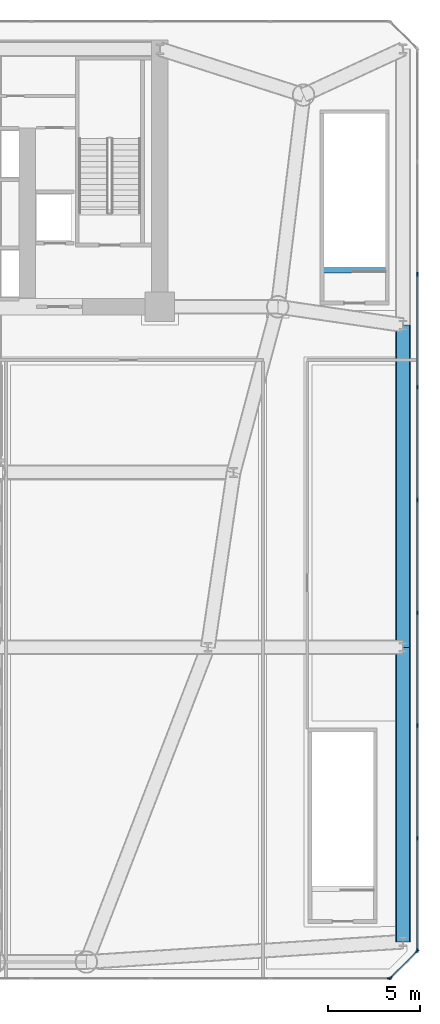
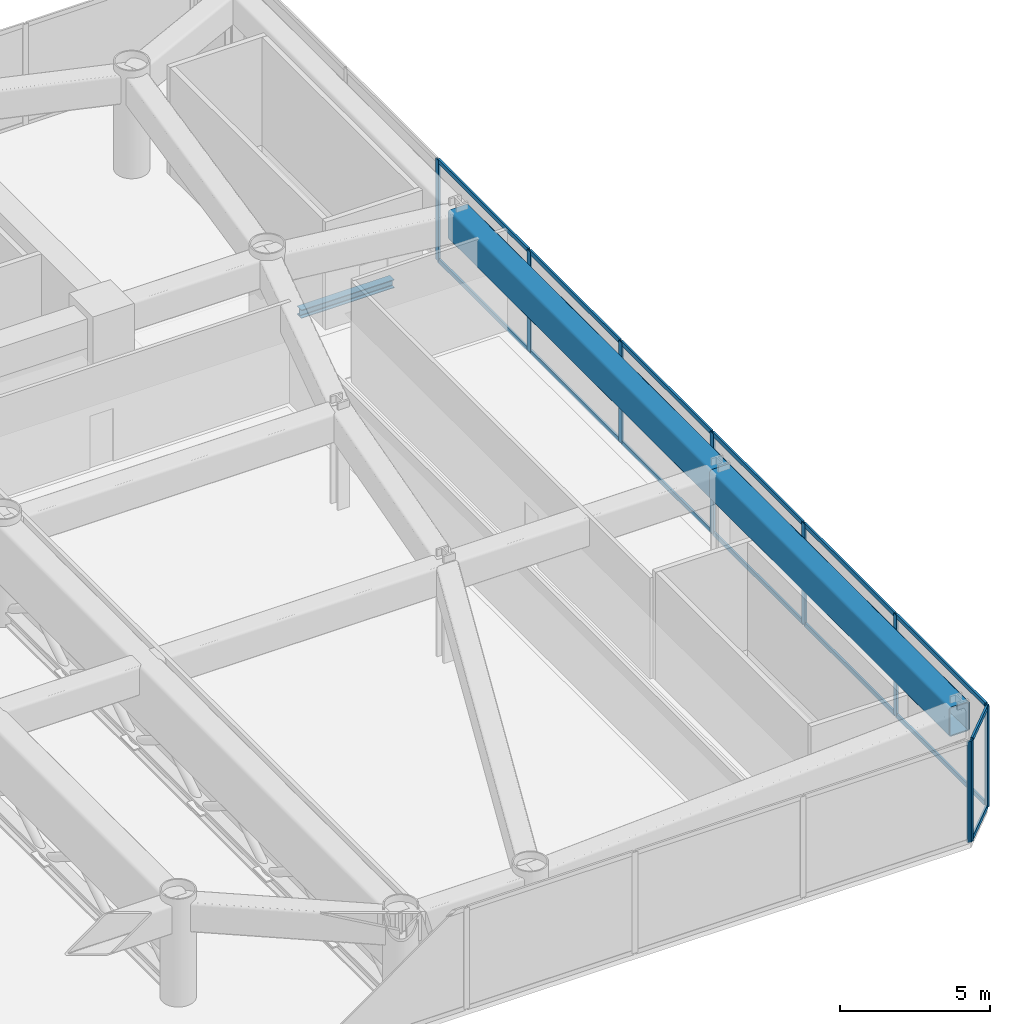
# One storey, part 10 of 21: 24 members, 3 beams, 3 elements without a shape of their own.
"""IFC4 building model written with IfcOpenShell, lengths in metres."""

from ifc_helpers import new_model, si_unit, direction, frame, origin, origin_2d, place, context, subcontext, project, spatial, rectangle, hollow_rectangle, i_section, extrude, source, transform, mapped, material, layer, layer_set, material_profile, profile_set, type_object, element, aggregate, save


model = new_model("IFC4")

# Units and contexts
model_context = context("Model", 3, precision=1e-05, world=origin(), true_north=direction((0.0, 1.0)))
body_context = subcontext(model_context, "Body", "Model", "MODEL_VIEW")
ifc_project = project(units=[si_unit("LENGTHUNIT", "METRE"), si_unit("AREAUNIT", "SQUARE_METRE"), si_unit("VOLUMEUNIT", "CUBIC_METRE"), si_unit("PLANEANGLEUNIT", "RADIAN"), si_unit("MASSUNIT", "GRAM", prefix="KILO")], contexts=[model_context])

# Site, building, storey
site_placement = place(None, origin())
site = spatial("IfcSite", under=ifc_project, at=site_placement, CompositionType="ELEMENT")
building_placement = place(site_placement, origin())
building = spatial("IfcBuilding", under=site, at=building_placement, Name="Vaeldorn Concourse Tower", CompositionType="ELEMENT")
storey_placement = place(building_placement, frame((0.0, 0.0, 14.39990234375)))
storey = spatial("IfcBuildingStorey", under=building, at=storey_placement, Name="L03", CompositionType="ELEMENT", Elevation=14.39990234375)

# Beams
ifc_material_1 = material(Name="Steel S355", Category="steel")
ifc_material_profile_1 = material_profile(ifc_material_1, i_section(OverallWidth=0.300048828125, OverallDepth=0.340087890625, WebThickness=0.011962890625, FlangeThickness=0.021484375, FilletRadius=0.027099609375, at=origin_2d()), Name="HEB 340")
ifc_profile_set_1 = profile_set([ifc_material_profile_1], Name="Steel S355")
beam_type_1 = type_object("IfcBeamType", Name="BM-ST-TRIM", PredefinedType="BEAM", material=ifc_profile_set_1)
shared_shape_1 = source(origin(), body_context, "Body", "SweptSolid", [
    extrude(i_section(OverallWidth=0.300048828125, OverallDepth=0.340087890625, WebThickness=0.011962890625, FlangeThickness=0.021484375, FilletRadius=0.027099609375, at=origin_2d()), origin(), (0.0, 0.0, 1.0), 3.590087890625),
])
beam_1_placement = place(storey_placement, frame((62.780029296875, 38.489990234375, -0.449951171875), z_axis=(1.0, 0.0, 0.0), x_axis=(0.0, 1.0, 0.0)))
element("IfcBeam", 1, at=beam_1_placement, inside=storey, type_object=beam_type_1, Name="Stair Landing Trimmer Beam ST-4 L03", PredefinedType="BEAM", context=body_context, shape_type="MappedRepresentation", body=[
    mapped(shared_shape_1, transform((0.0, 0.0, 0.0), scale=1.0)),
])
ifc_material_2 = material(Name="Steel S460", Category="steel")
ifc_material_profile_2 = material_profile(ifc_material_2, hollow_rectangle(XDim=0.800048828125, YDim=1.199951171875, WallThickness=0.044921875, InnerFilletRadius=0.044921875, OuterFilletRadius=0.090087890625, at=origin_2d()), Name="RHS 1200x800x45")
ifc_profile_set_2 = profile_set([ifc_material_profile_2], Name="Steel S460")
beam_type_2 = type_object("IfcBeamType", Name="BM-TG-RHS1200", PredefinedType="BEAM", material=ifc_profile_set_2)
shared_shape_2 = source(origin(), body_context, "Body", "SweptSolid", [
    extrude(hollow_rectangle(XDim=0.800048828125, YDim=1.199951171875, WallThickness=0.044921875, InnerFilletRadius=0.044921875, OuterFilletRadius=0.090087890625, at=origin_2d()), origin(), (0.0, 0.0, 1.0), 16.0),
])
beam_2_placement = place(storey_placement, frame((67.199951171875, 2.0, 3.52001953125), z_axis=(0.0, 1.0, 0.0), x_axis=(-1.0, 0.0, 0.0)))
element("IfcBeam", 2, at=beam_2_placement, inside=storey, type_object=beam_type_2, Name="Beam BM-L03-TG-22", PredefinedType="BEAM", context=body_context, shape_type="MappedRepresentation", body=[
    mapped(shared_shape_2, transform((0.0, 0.0, 0.0), scale=1.0)),
])
shared_shape_3 = source(origin(), body_context, "Body", "SweptSolid", [
    extrude(hollow_rectangle(XDim=0.800048828125, YDim=1.199951171875, WallThickness=0.044921875, InnerFilletRadius=0.044921875, OuterFilletRadius=0.090087890625, at=origin_2d()), origin(), (0.0, 0.0, 1.0), 17.5),
])
beam_3_placement = place(storey_placement, frame((67.199951171875, 18.0, 3.52001953125), z_axis=(0.0, 1.0, 0.0), x_axis=(-1.0, 0.0, 0.0)))
element("IfcBeam", 3, at=beam_3_placement, inside=storey, type_object=beam_type_2, Name="Beam BM-L03-TG-23", PredefinedType="BEAM", context=body_context, shape_type="MappedRepresentation", body=[
    mapped(shared_shape_3, transform((0.0, 0.0, 0.0), scale=1.0)),
])

# Curtain wall, members
ifc_material_3 = material(Name="Anodised Bronze Aluminium", Category="aluminium")
ifc_layer = layer(ifc_material_3, 0.239990234375)
ifc_layer_set = layer_set([ifc_layer], Name="Anodised Bronze Aluminium")
curtain_wall_type = type_object("IfcCurtainWallType", Name="CW-SYS-04", PredefinedType="NOTDEFINED", material=ifc_layer_set)
curtain_wall_1_placement = place(storey_placement, origin())
curtain_wall_1 = element("IfcCurtainWall", 4, at=curtain_wall_1_placement, inside=storey, type_object=curtain_wall_type, Name="Unitised Curtain Wall CW-L03-E02-1", PredefinedType="NOTDEFINED")
ifc_material_profile_3 = material_profile(ifc_material_3, rectangle(XDim=0.074951171875, YDim=0.179931640625, at=origin_2d()), Name="CWT 75x180")
ifc_profile_set_3 = profile_set([ifc_material_profile_3], Name="Anodised Bronze Aluminium")
member_type_1 = type_object("IfcMemberType", Name="CWT-BRONZE-180", PredefinedType="USERDEFINED", material=ifc_profile_set_3)
shared_shape_4 = source(origin(), body_context, "Body", "SweptSolid", [
    extrude(rectangle(XDim=0.074951171875, YDim=0.179931640625, at=origin_2d()), origin(), (0.0, 0.0, 1.0), 1.971435546875),
])
member_1_placement = place(storey_placement, frame((66.552978515625, 0.052978515625, 0.03759765625), z_axis=(0.707106781187, 0.707106781187, 0.0), x_axis=(-0.707106781187, 0.707106781187, 0.0)))
member_1 = element("IfcMember", 5, at=member_1_placement, type_object=member_type_1, Name="CW-04 transom 1.1", ObjectType="TRANSOM", PredefinedType="USERDEFINED", context=body_context, shape_type="MappedRepresentation", body=[
    mapped(shared_shape_4, transform((0.0, 0.0, 0.0), scale=1.0)),
])
member_2_placement = place(storey_placement, frame((66.552978515625, 0.052978515625, 4.08251953125), z_axis=(0.707106781187, 0.707106781187, 0.0), x_axis=(-0.707106781187, 0.707106781187, 0.0)))
member_2 = element("IfcMember", 6, at=member_2_placement, type_object=member_type_1, Name="CW-04 transom 1.2", ObjectType="TRANSOM", PredefinedType="USERDEFINED", context=body_context, shape_type="MappedRepresentation", body=[
    mapped(shared_shape_4, transform((0.0, 0.0, 0.0), scale=1.0)),
])

curtain_wall_2_placement = place(storey_placement, origin())
curtain_wall_2 = element("IfcCurtainWall", 7, at=curtain_wall_2_placement, inside=storey, type_object=curtain_wall_type, Name="Unitised Curtain Wall CW-L03-E03-1", PredefinedType="NOTDEFINED")
shared_shape_5 = source(origin(), body_context, "Body", "SweptSolid", [
    extrude(rectangle(XDim=0.074951171875, YDim=0.179931640625, at=origin_2d()), origin(), (0.0, 0.0, 1.0), 6.012451171875),
])
member_3_placement = place(storey_placement, frame((68.0, 1.574951171875, 0.03759765625), z_axis=(0.0, 1.0, 0.0), x_axis=(-1.0, 0.0, 0.0)))
member_3 = element("IfcMember", 8, at=member_3_placement, type_object=member_type_1, Name="CW-04 transom 1.1", ObjectType="TRANSOM", PredefinedType="USERDEFINED", context=body_context, shape_type="MappedRepresentation", body=[
    mapped(shared_shape_5, transform((0.0, 0.0, 0.0), scale=1.0)),
])
member_4_placement = place(storey_placement, frame((68.0, 1.574951171875, 4.08251953125), z_axis=(0.0, 1.0, 0.0), x_axis=(-1.0, 0.0, 0.0)))
member_4 = element("IfcMember", 9, at=member_4_placement, type_object=member_type_1, Name="CW-04 transom 1.2", ObjectType="TRANSOM", PredefinedType="USERDEFINED", context=body_context, shape_type="MappedRepresentation", body=[
    mapped(shared_shape_5, transform((0.0, 0.0, 0.0), scale=1.0)),
])
shared_shape_6 = source(origin(), body_context, "Body", "SweptSolid", [
    extrude(rectangle(XDim=0.074951171875, YDim=0.179931640625, at=origin_2d()), origin(), (0.0, 0.0, 1.0), 6.0498046875),
])
member_5_placement = place(storey_placement, frame((68.0, 7.66259765625, 0.03759765625), z_axis=(0.0, 1.0, 0.0), x_axis=(-1.0, 0.0, 0.0)))
member_5 = element("IfcMember", 10, at=member_5_placement, type_object=member_type_1, Name="CW-04 transom 2.1", ObjectType="TRANSOM", PredefinedType="USERDEFINED", context=body_context, shape_type="MappedRepresentation", body=[
    mapped(shared_shape_6, transform((0.0, 0.0, 0.0), scale=1.0)),
])
member_6_placement = place(storey_placement, frame((68.0, 7.66259765625, 4.08251953125), z_axis=(0.0, 1.0, 0.0), x_axis=(-1.0, 0.0, 0.0)))
member_6 = element("IfcMember", 11, at=member_6_placement, type_object=member_type_1, Name="CW-04 transom 2.2", ObjectType="TRANSOM", PredefinedType="USERDEFINED", context=body_context, shape_type="MappedRepresentation", body=[
    mapped(shared_shape_6, transform((0.0, 0.0, 0.0), scale=1.0)),
])
member_7_placement = place(storey_placement, frame((68.0, 13.78759765625, 0.03759765625), z_axis=(0.0, 1.0, 0.0), x_axis=(-1.0, 0.0, 0.0)))
member_7 = element("IfcMember", 12, at=member_7_placement, type_object=member_type_1, Name="CW-04 transom 3.1", ObjectType="TRANSOM", PredefinedType="USERDEFINED", context=body_context, shape_type="MappedRepresentation", body=[
    mapped(shared_shape_6, transform((0.0, 0.0, 0.0), scale=1.0)),
])
member_8_placement = place(storey_placement, frame((68.0, 13.78759765625, 4.08251953125), z_axis=(0.0, 1.0, 0.0), x_axis=(-1.0, 0.0, 0.0)))
member_8 = element("IfcMember", 13, at=member_8_placement, type_object=member_type_1, Name="CW-04 transom 3.2", ObjectType="TRANSOM", PredefinedType="USERDEFINED", context=body_context, shape_type="MappedRepresentation", body=[
    mapped(shared_shape_6, transform((0.0, 0.0, 0.0), scale=1.0)),
])
member_9_placement = place(storey_placement, frame((68.0, 19.91259765625, 0.03759765625), z_axis=(0.0, 1.0, 0.0), x_axis=(-1.0, 0.0, 0.0)))
member_9 = element("IfcMember", 14, at=member_9_placement, type_object=member_type_1, Name="CW-04 transom 4.1", ObjectType="TRANSOM", PredefinedType="USERDEFINED", context=body_context, shape_type="MappedRepresentation", body=[
    mapped(shared_shape_6, transform((0.0, 0.0, 0.0), scale=1.0)),
])
member_10_placement = place(storey_placement, frame((68.0, 19.91259765625, 4.08251953125), z_axis=(0.0, 1.0, 0.0), x_axis=(-1.0, 0.0, 0.0)))
member_10 = element("IfcMember", 15, at=member_10_placement, type_object=member_type_1, Name="CW-04 transom 4.2", ObjectType="TRANSOM", PredefinedType="USERDEFINED", context=body_context, shape_type="MappedRepresentation", body=[
    mapped(shared_shape_6, transform((0.0, 0.0, 0.0), scale=1.0)),
])
member_11_placement = place(storey_placement, frame((68.0, 26.03759765625, 0.03759765625), z_axis=(0.0, 1.0, 0.0), x_axis=(-1.0, 0.0, 0.0)))
member_11 = element("IfcMember", 16, at=member_11_placement, type_object=member_type_1, Name="CW-04 transom 5.1", ObjectType="TRANSOM", PredefinedType="USERDEFINED", context=body_context, shape_type="MappedRepresentation", body=[
    mapped(shared_shape_6, transform((0.0, 0.0, 0.0), scale=1.0)),
])
member_12_placement = place(storey_placement, frame((68.0, 26.03759765625, 4.08251953125), z_axis=(0.0, 1.0, 0.0), x_axis=(-1.0, 0.0, 0.0)))
member_12 = element("IfcMember", 17, at=member_12_placement, type_object=member_type_1, Name="CW-04 transom 5.2", ObjectType="TRANSOM", PredefinedType="USERDEFINED", context=body_context, shape_type="MappedRepresentation", body=[
    mapped(shared_shape_6, transform((0.0, 0.0, 0.0), scale=1.0)),
])
member_13_placement = place(storey_placement, frame((68.0, 32.16259765625, 0.03759765625), z_axis=(0.0, 1.0, 0.0), x_axis=(-1.0, 0.0, 0.0)))
member_13 = element("IfcMember", 18, at=member_13_placement, type_object=member_type_1, Name="CW-04 transom 6.1", ObjectType="TRANSOM", PredefinedType="USERDEFINED", context=body_context, shape_type="MappedRepresentation", body=[
    mapped(shared_shape_6, transform((0.0, 0.0, 0.0), scale=1.0)),
])
member_14_placement = place(storey_placement, frame((68.0, 32.16259765625, 4.08251953125), z_axis=(0.0, 1.0, 0.0), x_axis=(-1.0, 0.0, 0.0)))
member_14 = element("IfcMember", 19, at=member_14_placement, type_object=member_type_1, Name="CW-04 transom 6.2", ObjectType="TRANSOM", PredefinedType="USERDEFINED", context=body_context, shape_type="MappedRepresentation", body=[
    mapped(shared_shape_6, transform((0.0, 0.0, 0.0), scale=1.0)),
])

# Curtain wall, member
curtain_wall_3_placement = place(storey_placement, origin())
curtain_wall_3 = element("IfcCurtainWall", 20, at=curtain_wall_3_placement, inside=storey, type_object=curtain_wall_type, Name="Unitised Curtain Wall CW-L03-E01-1", PredefinedType="NOTDEFINED")
ifc_material_profile_4 = material_profile(ifc_material_3, rectangle(XDim=0.074951171875, YDim=0.219970703125, at=origin_2d()), Name="CWM 75x220")
ifc_profile_set_4 = profile_set([ifc_material_profile_4], Name="Anodised Bronze Aluminium")
member_type_2 = type_object("IfcMemberType", Name="CWM-BRONZE-220", PredefinedType="MULLION", material=ifc_profile_set_4)
shared_shape_7 = source(origin(), body_context, "Body", "SweptSolid", [
    extrude(rectangle(XDim=0.074951171875, YDim=0.219970703125, at=origin_2d()), origin(), (0.0, 0.0, 1.0), 4.1201171875),
])
member_15_placement = place(storey_placement, frame((66.46240234375, 0.0, 0.0), z_axis=(0.0, 0.0, 1.0), x_axis=(0.0, 1.0, 0.0)))
member_15 = element("IfcMember", 21, at=member_15_placement, type_object=member_type_2, Name="CW-04 mullion 11", PredefinedType="MULLION", context=body_context, shape_type="MappedRepresentation", body=[
    mapped(shared_shape_7, transform((0.0, 0.0, 0.0), scale=1.0)),
])
aggregate(curtain_wall_3, [member_15])

# Member
member_16_placement = place(storey_placement, frame((66.526611328125, 0.026611328125, 0.0), z_axis=(0.0, 0.0, 1.0), x_axis=(-0.707106781187, 0.707106781187, 0.0)))
member_16 = element("IfcMember", 22, at=member_16_placement, type_object=member_type_2, Name="CW-04 mullion 1", PredefinedType="MULLION", context=body_context, shape_type="MappedRepresentation", body=[
    mapped(shared_shape_7, transform((0.0, 0.0, 0.0), scale=1.0)),
])

member_17_placement = place(storey_placement, frame((67.973388671875, 1.473388671875, 0.0), z_axis=(0.0, 0.0, 1.0), x_axis=(-0.707106781187, 0.707106781187, 0.0)))
member_17 = element("IfcMember", 23, at=member_17_placement, type_object=member_type_2, Name="CW-04 mullion 2", PredefinedType="MULLION", context=body_context, shape_type="MappedRepresentation", body=[
    mapped(shared_shape_7, transform((0.0, 0.0, 0.0), scale=1.0)),
])

aggregate(curtain_wall_1, [member_16, member_17, member_1, member_2])

member_18_placement = place(storey_placement, frame((68.0, 1.53759765625, 0.0), z_axis=(0.0, 0.0, 1.0), x_axis=(-1.0, 0.0, 0.0)))
member_18 = element("IfcMember", 24, at=member_18_placement, type_object=member_type_2, Name="CW-04 mullion 1", PredefinedType="MULLION", context=body_context, shape_type="MappedRepresentation", body=[
    mapped(shared_shape_7, transform((0.0, 0.0, 0.0), scale=1.0)),
])

member_19_placement = place(storey_placement, frame((68.0, 7.625, 0.0), z_axis=(0.0, 0.0, 1.0), x_axis=(-1.0, 0.0, 0.0)))
member_19 = element("IfcMember", 25, at=member_19_placement, type_object=member_type_2, Name="CW-04 mullion 2", PredefinedType="MULLION", context=body_context, shape_type="MappedRepresentation", body=[
    mapped(shared_shape_7, transform((0.0, 0.0, 0.0), scale=1.0)),
])

member_20_placement = place(storey_placement, frame((68.0, 13.75, 0.0), z_axis=(0.0, 0.0, 1.0), x_axis=(-1.0, 0.0, 0.0)))
member_20 = element("IfcMember", 26, at=member_20_placement, type_object=member_type_2, Name="CW-04 mullion 3", PredefinedType="MULLION", context=body_context, shape_type="MappedRepresentation", body=[
    mapped(shared_shape_7, transform((0.0, 0.0, 0.0), scale=1.0)),
])

member_21_placement = place(storey_placement, frame((68.0, 19.875, 0.0), z_axis=(0.0, 0.0, 1.0), x_axis=(-1.0, 0.0, 0.0)))
member_21 = element("IfcMember", 27, at=member_21_placement, type_object=member_type_2, Name="CW-04 mullion 4", PredefinedType="MULLION", context=body_context, shape_type="MappedRepresentation", body=[
    mapped(shared_shape_7, transform((0.0, 0.0, 0.0), scale=1.0)),
])

member_22_placement = place(storey_placement, frame((68.0, 26.0, 0.0), z_axis=(0.0, 0.0, 1.0), x_axis=(-1.0, 0.0, 0.0)))
member_22 = element("IfcMember", 28, at=member_22_placement, type_object=member_type_2, Name="CW-04 mullion 5", PredefinedType="MULLION", context=body_context, shape_type="MappedRepresentation", body=[
    mapped(shared_shape_7, transform((0.0, 0.0, 0.0), scale=1.0)),
])

member_23_placement = place(storey_placement, frame((68.0, 32.125, 0.0), z_axis=(0.0, 0.0, 1.0), x_axis=(-1.0, 0.0, 0.0)))
member_23 = element("IfcMember", 29, at=member_23_placement, type_object=member_type_2, Name="CW-04 mullion 6", PredefinedType="MULLION", context=body_context, shape_type="MappedRepresentation", body=[
    mapped(shared_shape_7, transform((0.0, 0.0, 0.0), scale=1.0)),
])

member_24_placement = place(storey_placement, frame((68.0, 38.25, 0.0), z_axis=(0.0, 0.0, 1.0), x_axis=(-1.0, 0.0, 0.0)))
member_24 = element("IfcMember", 30, at=member_24_placement, type_object=member_type_2, Name="CW-04 mullion 7", PredefinedType="MULLION", context=body_context, shape_type="MappedRepresentation", body=[
    mapped(shared_shape_7, transform((0.0, 0.0, 0.0), scale=1.0)),
])

aggregate(curtain_wall_2, [member_18, member_19, member_20, member_21, member_22, member_23, member_24, member_3, member_4, member_5, member_6, member_7, member_8, member_9, member_10, member_11, member_12, member_13, member_14])

save(model, "model.ifc")
